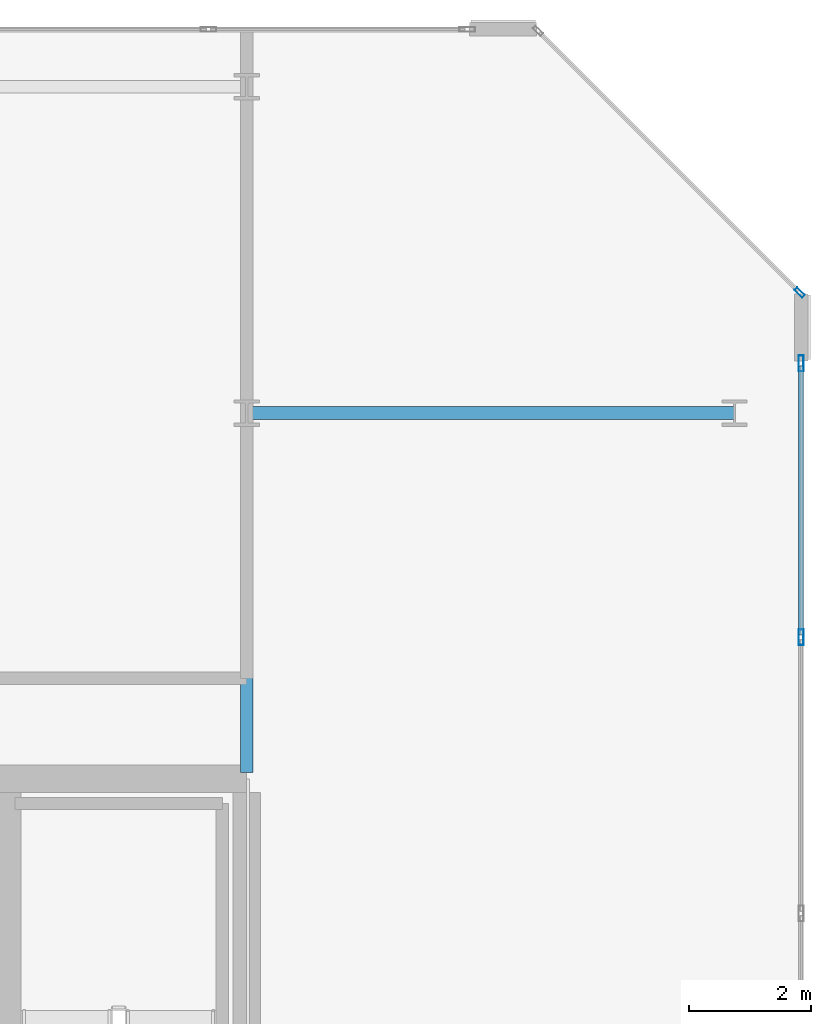
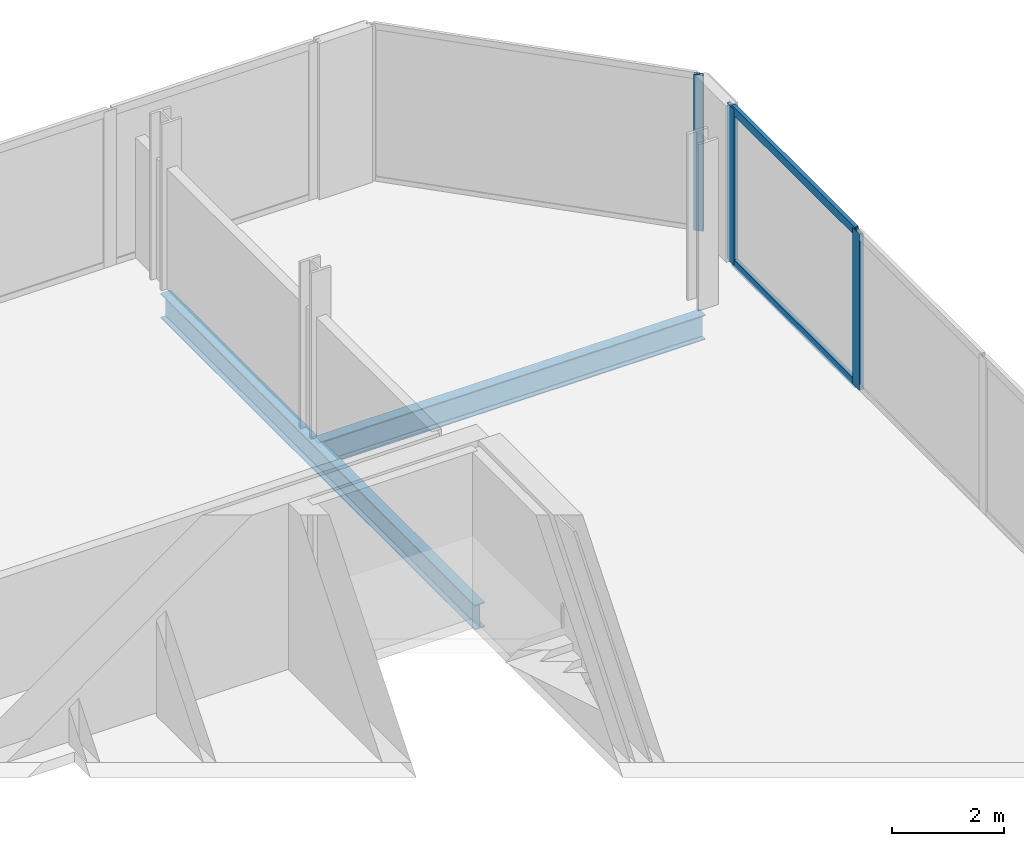
# One storey, part 11 of 16: 5 members, 2 beams, 2 elements without a shape of their own.
"""IFC4 building model written with IfcOpenShell, lengths in metres."""

from ifc_helpers import new_model, si_unit, direction, frame, origin, origin_2d, place, context, subcontext, project, spatial, hollow_rectangle, i_section, extrude, material, layer, layer_set, material_profile, profile_set, type_object, element, aggregate, save


model = new_model("IFC4")

# Units and contexts
model_context = context("Model", 3, precision=1e-05, world=origin(), true_north=direction((0.0, 1.0)))
body_context = subcontext(model_context, "Body", "Model", "MODEL_VIEW")
ifc_project = project(units=[si_unit("LENGTHUNIT", "METRE"), si_unit("AREAUNIT", "SQUARE_METRE"), si_unit("VOLUMEUNIT", "CUBIC_METRE"), si_unit("PLANEANGLEUNIT", "RADIAN"), si_unit("MASSUNIT", "GRAM", prefix="KILO")], contexts=[model_context])

# Site, building, storey
site_placement = place(None, origin())
site = spatial("IfcSite", under=ifc_project, at=site_placement, CompositionType="ELEMENT")
building_placement = place(site_placement, origin())
building = spatial("IfcBuilding", under=site, at=building_placement, Name="Tanjung Sevakor Pilgrim Tower", CompositionType="ELEMENT")
storey_placement = place(building_placement, frame((0.0, 0.0, 271.590087890625)))
storey = spatial("IfcBuildingStorey", under=building, at=storey_placement, Name="L76", CompositionType="ELEMENT", Elevation=271.590087890625)

# Beams
ifc_material_1 = material(Name="Steel S355J2", Category="steel")
ifc_material_profile_1 = material_profile(ifc_material_1, i_section(OverallWidth=0.2119140625, OverallDepth=0.54443359375, WebThickness=0.0126953125, FlangeThickness=0.021240234375, FilletRadius=0.0126953125, at=origin_2d()))
ifc_profile_set_1 = profile_set([ifc_material_profile_1], Name="Steel S355J2")
beam_type_1 = type_object("IfcBeamType", Name="BM-B-G5-UB_533x210x122", PredefinedType="BEAM", material=ifc_profile_set_1)
beam_1_placement = place(storey_placement, frame((90.0, 48.60009765625, -0.4921875), z_axis=(1.0, 0.0, 0.0), x_axis=(0.0, 1.0, 0.0)))
element("IfcBeam", 1, at=beam_1_placement, inside=storey, type_object=beam_type_1, Name="L76 East Peak Wing Girder Y48.6", PredefinedType="BEAM", context=body_context, shape_type="SweptSolid", body=[
    extrude(i_section(OverallWidth=0.2119140625, OverallDepth=0.54443359375, WebThickness=0.0126953125, FlangeThickness=0.021240234375, FilletRadius=0.0126953125, at=origin_2d()), origin(), (0.0, 0.0, 1.0), 8.0),
])
ifc_material_2 = material(Name="Steel S355J2", Category="steel")
ifc_material_profile_2 = material_profile(ifc_material_2, i_section(OverallWidth=0.210693359375, OverallDepth=0.53955078125, WebThickness=0.01171875, FlangeThickness=0.018798828125, FilletRadius=0.0126953125, at=origin_2d()))
ifc_profile_set_2 = profile_set([ifc_material_profile_2], Name="Steel S355J2")
beam_type_2 = type_object("IfcBeamType", Name="BM-B-G6-UB_533x210x109", PredefinedType="BEAM", material=ifc_profile_set_2)
beam_2_placement = place(storey_placement, frame((90.0, 42.7060546875, -0.48974609375), z_axis=(0.0, 1.0, 0.0), x_axis=(-1.0, 0.0, 0.0)))
element("IfcBeam", 2, at=beam_2_placement, inside=storey, type_object=beam_type_2, Name="L76 EAST Girder 010", PredefinedType="BEAM", context=body_context, shape_type="SweptSolid", body=[
    extrude(i_section(OverallWidth=0.210693359375, OverallDepth=0.53955078125, WebThickness=0.01171875, FlangeThickness=0.018798828125, FilletRadius=0.0126953125, at=origin_2d()), origin(), (0.0, 0.0, 1.0), 11.243896484375),
])

# Curtain wall, member
ifc_material_3 = material(Name="Aluminium 6063-T6 and Low-E Glass", Category="aluminium")
ifc_layer_1 = layer(ifc_material_3, 0.179931640625)
ifc_layer_set_1 = layer_set([ifc_layer_1], Name="CW-SYS-CHAM")
curtain_wall_type_1 = type_object("IfcCurtainWallType", Name="CW-SYS-CHAM", PredefinedType="NOTDEFINED", material=ifc_layer_set_1)
curtain_wall_1_placement = place(storey_placement, origin())
curtain_wall_1 = element("IfcCurtainWall", 3, at=curtain_wall_1_placement, inside=storey, type_object=curtain_wall_type_1, Name="L76 Curtain Wall CW-CHM-L76-EAST-3", PredefinedType="NOTDEFINED")
ifc_material_4 = material(Name="Aluminium 6063-T6", Category="aluminium")
ifc_material_profile_3 = material_profile(ifc_material_4, hollow_rectangle(XDim=0.06494140625, YDim=0.179931640625, WallThickness=0.00390625, at=origin_2d()))
ifc_profile_set_3 = profile_set([ifc_material_profile_3], Name="Aluminium 6063-T6")
member_type_1 = type_object("IfcMemberType", Name="TYPE-CWM-1", PredefinedType="MULLION", material=ifc_profile_set_3)
member_1_placement = place(storey_placement, frame((99.067138671875, 50.577392578125, 0.0), z_axis=(0.0, 0.0, 1.0), x_axis=(-0.707106781187, -0.707106781187, 0.0)))
member_1 = element("IfcMember", 4, at=member_1_placement, type_object=member_type_1, Name="CW-CHM mullion 1", PredefinedType="MULLION", context=body_context, shape_type="SweptSolid", body=[
    extrude(hollow_rectangle(XDim=0.06494140625, YDim=0.179931640625, WallThickness=0.00390625, at=origin_2d()), origin(), (0.0, 0.0, 1.0), 3.409912109375),
])
aggregate(curtain_wall_1, [member_1])

# Curtain wall, members
ifc_material_5 = material(Name="Aluminium 6063-T6 and Low-E Glass", Category="aluminium")
ifc_layer_2 = layer(ifc_material_5, 0.219970703125)
ifc_layer_set_2 = layer_set([ifc_layer_2], Name="CW-SYS-CRNE")
curtain_wall_type_2 = type_object("IfcCurtainWallType", Name="CW-SYS-CRNE", PredefinedType="NOTDEFINED", material=ifc_layer_set_2)
curtain_wall_2_placement = place(storey_placement, origin())
curtain_wall_2 = element("IfcCurtainWall", 5, at=curtain_wall_2_placement, inside=storey, type_object=curtain_wall_type_2, Name="L76 Curtain Wall CW-CRN-L76-EAST-2-1", PredefinedType="NOTDEFINED")
ifc_material_6 = material(Name="Aluminium 6063-T6", Category="aluminium")
ifc_material_profile_4 = material_profile(ifc_material_6, hollow_rectangle(XDim=0.080078125, YDim=0.260009765625, WallThickness=0.0048828125, at=origin_2d()))
ifc_profile_set_4 = profile_set([ifc_material_profile_4], Name="Aluminium 6063-T6")
member_type_2 = type_object("IfcMemberType", Name="TYPE-CWM-3", PredefinedType="MULLION", material=ifc_profile_set_4)
member_2_placement = place(storey_placement, frame((99.090087890625, 44.924560546875, 0.0), z_axis=(0.0, 0.0, 1.0), x_axis=(-1.0, 0.0, 0.0)))
member_2 = element("IfcMember", 6, at=member_2_placement, type_object=member_type_2, Name="CW-CRE mullion 7", PredefinedType="MULLION", context=body_context, shape_type="SweptSolid", body=[
    extrude(hollow_rectangle(XDim=0.080078125, YDim=0.260009765625, WallThickness=0.0048828125, at=origin_2d()), origin(), (0.0, 0.0, 1.0), 3.409912109375),
])
member_3_placement = place(storey_placement, frame((99.090087890625, 49.414306640625, 0.0), z_axis=(0.0, 0.0, 1.0), x_axis=(-1.0, 0.0, 0.0)))
member_3 = element("IfcMember", 7, at=member_3_placement, type_object=member_type_2, Name="CW-CRE mullion 8", PredefinedType="MULLION", context=body_context, shape_type="SweptSolid", body=[
    extrude(hollow_rectangle(XDim=0.080078125, YDim=0.260009765625, WallThickness=0.0048828125, at=origin_2d()), origin(), (0.0, 0.0, 1.0), 3.409912109375),
])
ifc_material_7 = material(Name="Aluminium 6063-T6", Category="aluminium")
ifc_material_profile_5 = material_profile(ifc_material_7, hollow_rectangle(XDim=0.080078125, YDim=0.179931640625, WallThickness=0.0048828125, at=origin_2d()))
ifc_profile_set_5 = profile_set([ifc_material_profile_5], Name="Aluminium 6063-T6")
member_type_3 = type_object("IfcMemberType", Name="TYPE-CWT-3", PredefinedType="USERDEFINED", material=ifc_profile_set_5)
member_4_placement = place(storey_placement, frame((99.090087890625, 44.964599609375, 0.039794921875), z_axis=(0.0, 1.0, 0.0), x_axis=(-1.0, 0.0, 0.0)))
member_4 = element("IfcMember", 8, at=member_4_placement, type_object=member_type_3, Name="CW-CRE transom 7.1", ObjectType="TRANSOM", PredefinedType="USERDEFINED", context=body_context, shape_type="SweptSolid", body=[
    extrude(hollow_rectangle(XDim=0.080078125, YDim=0.179931640625, WallThickness=0.0048828125, at=origin_2d()), origin(), (0.0, 0.0, 1.0), 4.409912109375),
])
member_5_placement = place(storey_placement, frame((99.090087890625, 44.964599609375, 3.369873046875), z_axis=(0.0, 1.0, 0.0), x_axis=(-1.0, 0.0, 0.0)))
member_5 = element("IfcMember", 9, at=member_5_placement, type_object=member_type_3, Name="CW-CRE transom 7.2", ObjectType="TRANSOM", PredefinedType="USERDEFINED", context=body_context, shape_type="SweptSolid", body=[
    extrude(hollow_rectangle(XDim=0.080078125, YDim=0.179931640625, WallThickness=0.0048828125, at=origin_2d()), origin(), (0.0, 0.0, 1.0), 4.409912109375),
])
aggregate(curtain_wall_2, [member_2, member_3, member_4, member_5])

save(model, "model.ifc")
